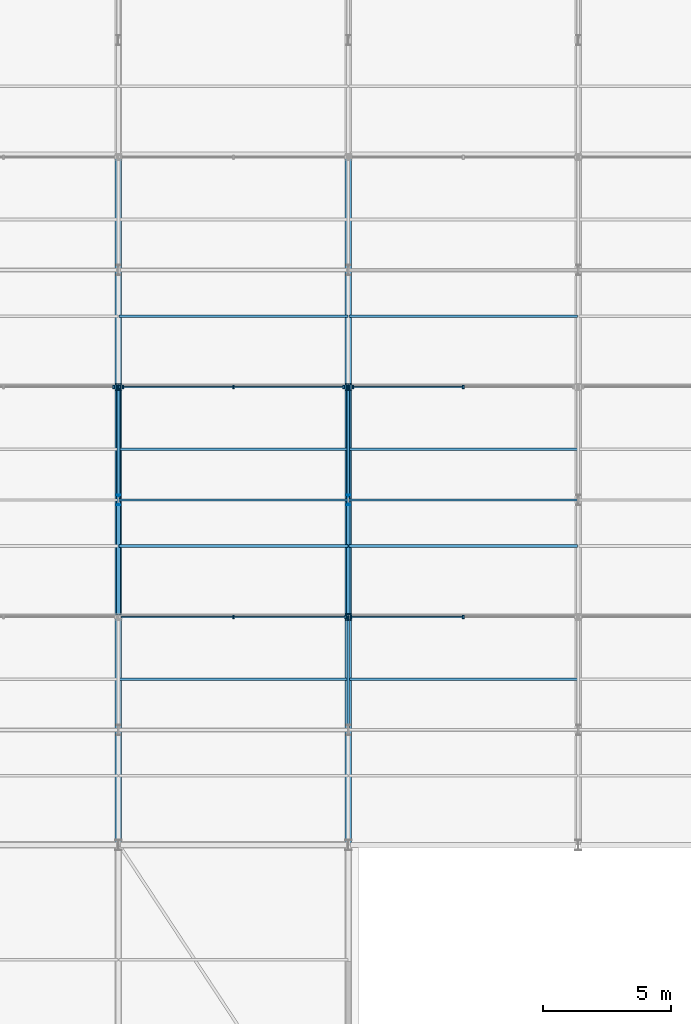
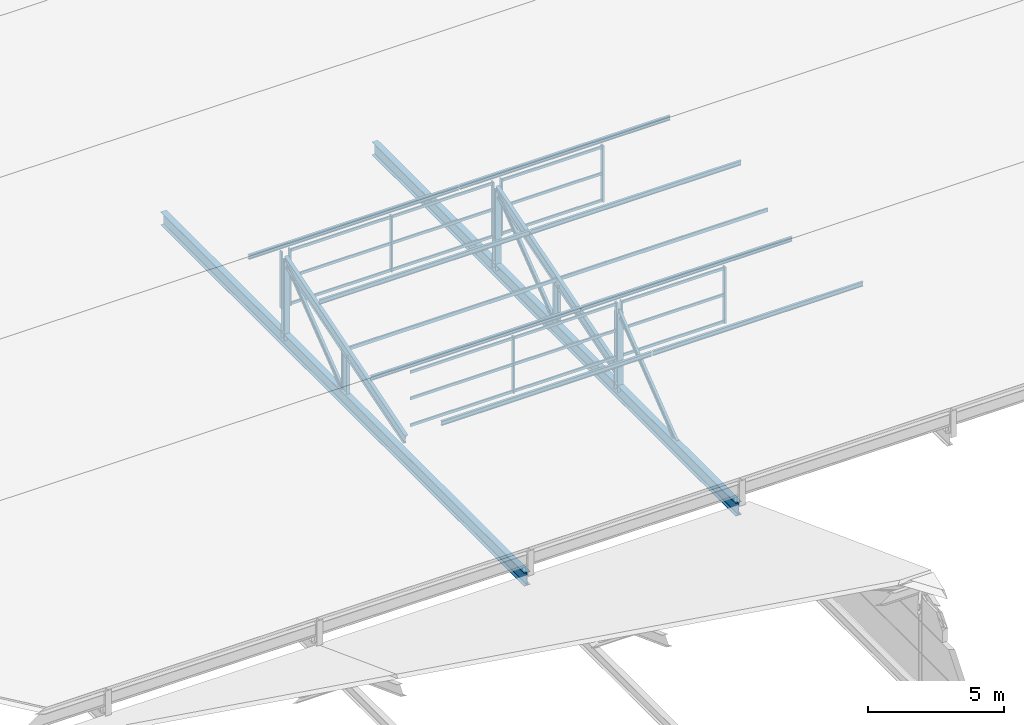
# One storey, part 64 of 163: 48 members, 2 beams, 5 elements without a shape of their own.
"""IFC4 building model written with IfcOpenShell, lengths in metres."""

from ifc_helpers import new_model, si_unit, direction, frame, origin, origin_2d, place, context, subcontext, project, spatial, rectangle, hollow_rectangle, i_section, extrude, material, material_profile, profile_set, type_object, element, aggregate, save


model = new_model("IFC4")

# Units and contexts
model_context = context("Model", 3, precision=1e-05, world=origin(), true_north=direction((0.0, 1.0)))
body_context = subcontext(model_context, "Body", "Model", "MODEL_VIEW")
ifc_project = project(units=[si_unit("LENGTHUNIT", "METRE"), si_unit("AREAUNIT", "SQUARE_METRE"), si_unit("VOLUMEUNIT", "CUBIC_METRE"), si_unit("PLANEANGLEUNIT", "RADIAN"), si_unit("MASSUNIT", "GRAM", prefix="KILO")], contexts=[model_context])

# Site, building, storey
site_placement = place(None, origin())
site = spatial("IfcSite", under=ifc_project, at=site_placement, CompositionType="ELEMENT")
building_placement = place(site_placement, origin())
building = spatial("IfcBuilding", under=site, at=building_placement, Name="Tharagai Park Tramway Depot", CompositionType="ELEMENT")
storey_placement = place(building_placement, frame((0.0, 0.0, 8.39990234375)))
storey = spatial("IfcBuildingStorey", under=building, at=storey_placement, Name="L02", CompositionType="ELEMENT", Elevation=8.39990234375)

# Beams
ifc_material_1 = material(Name="Steel E350", Category="steel")
ifc_material_profile_1 = material_profile(ifc_material_1, i_section(OverallWidth=0.25, OverallDepth=0.60009765625, WebThickness=0.01171875, FlangeThickness=0.023681640625, FilletRadius=0.01708984375, at=origin_2d()), Name="ISWB 600")
ifc_profile_set_1 = profile_set([ifc_material_profile_1], Name="Steel E350")
beam_type = type_object("IfcBeamType", Name="BM-01", PredefinedType="BEAM", material=ifc_profile_set_1)
for number, where, z_axis, x_axis, name in (
    (1, (81.0, 90.080078125, -0.25), (0.0, 1.0, 0.0), (-1.0, 0.0, 0.0), "Sawtooth Truss Bottom Tie Girder BM-01"),
    (2, (90.0, 90.080078125, -0.25), (0.0, 1.0, 0.0), (-1.0, 0.0, 0.0), "Sawtooth Truss Bottom Tie Girder BM-01"),
):
    element("IfcBeam", number, at=place(storey_placement, frame(where, z_axis=z_axis, x_axis=x_axis)), inside=storey, type_object=beam_type, Name=name, PredefinedType="BEAM", context=body_context, shape_type="SweptSolid", body=[
        extrude(i_section(OverallWidth=0.25, OverallDepth=0.60009765625, WebThickness=0.01171875, FlangeThickness=0.023681640625, FilletRadius=0.01708984375, at=origin_2d()), origin(), (0.0, 0.0, 1.0), 26.83984375),
    ])

# Members
ifc_material_profile_2 = material_profile(ifc_material_1, i_section(OverallWidth=0.25, OverallDepth=0.25, WebThickness=0.0087890625, FlangeThickness=0.009765625, FilletRadius=0.010009765625, at=origin_2d()), Name="ISHB 250")
ifc_profile_set_2 = profile_set([ifc_material_profile_2], Name="Steel E350")
member_type_1 = type_object("IfcMemberType", Name="BR-01", PredefinedType="BRACE", material=ifc_profile_set_2)
for number, where, z_axis, x_axis, name in (
    (3, (81.0, 107.919921875, -0.25), (0.0, 0.0, 1.0), (1.0, 0.0, 0.0), "Sawtooth North Vertical Post BR-01"),
    (4, (90.0, 98.919921875, -0.25), (0.0, 0.0, 1.0), (1.0, 0.0, 0.0), "Sawtooth North Vertical Post BR-01"),
    (5, (90.0, 107.919921875, -0.25), (0.0, 0.0, 1.0), (1.0, 0.0, 0.0), "Sawtooth North Vertical Post BR-01"),
):
    element("IfcMember", number, at=place(storey_placement, frame(where, z_axis=z_axis, x_axis=x_axis)), inside=storey, type_object=member_type_1, Name=name, PredefinedType="BRACE", context=body_context, shape_type="SweptSolid", body=[
        extrude(i_section(OverallWidth=0.25, OverallDepth=0.25, WebThickness=0.0087890625, FlangeThickness=0.009765625, FilletRadius=0.010009765625, at=origin_2d()), origin(), (0.0, 0.0, 1.0), 3.55517578125),
    ])
ifc_material_profile_3 = material_profile(ifc_material_1, i_section(OverallWidth=0.110107421875, OverallDepth=0.22509765625, WebThickness=0.006591796875, FlangeThickness=0.01171875, FilletRadius=0.011962890625, at=origin_2d()), Name="ISMB 225")
ifc_profile_set_3 = profile_set([ifc_material_profile_3], Name="Steel E350")
member_type_2 = type_object("IfcMemberType", Name="BR-04", PredefinedType="BRACE", material=ifc_profile_set_3)
for number, where, z_axis, x_axis, name in (
    (6, (81.0, 103.64990234375, 0.0), (0.0, 0.790781596, 0.612098413188), (-1.0, 0.0, 0.0), "Sawtooth Truss Web Diagonal BR-04"),
    (7, (90.0, 94.64990234375, 0.0), (0.0, 0.790781596, 0.612098413188), (-1.0, 0.0, 0.0), "Sawtooth Truss Web Diagonal BR-04"),
    (8, (90.0, 103.64990234375, 0.0), (0.0, 0.790781596, 0.612098413188), (-1.0, 0.0, 0.0), "Sawtooth Truss Web Diagonal BR-04"),
):
    element("IfcMember", number, at=place(storey_placement, frame(where, z_axis=z_axis, x_axis=x_axis)), inside=storey, type_object=member_type_2, Name=name, PredefinedType="BRACE", context=body_context, shape_type="SweptSolid", body=[
        extrude(i_section(OverallWidth=0.110107421875, OverallDepth=0.22509765625, WebThickness=0.006591796875, FlangeThickness=0.01171875, FilletRadius=0.011962890625, at=origin_2d()), origin(), (0.0, 0.0, 1.0), 5.399658203125),
    ])

# Curtain wall, members
ifc_material_2 = material(Name="Anodised aluminium", Category="aluminium")
curtain_wall_type_1 = type_object("IfcCurtainWallType", Name="CW-04", PredefinedType="NOTDEFINED", material=ifc_material_2)
curtain_wall_1_placement = place(storey_placement, origin())
curtain_wall_1 = element("IfcCurtainWall", 9, at=curtain_wall_1_placement, inside=storey, type_object=curtain_wall_type_1, Name="Sawtooth North-Light Clerestory CW-04", PredefinedType="NOTDEFINED")
ifc_material_profile_4 = material_profile(ifc_material_2, rectangle(XDim=0.06494140625, YDim=0.1201171875, at=origin_2d()), Name="ALU 65x120")
ifc_profile_set_4 = profile_set([ifc_material_profile_4], Name="Anodised aluminium")
member_type_3 = type_object("IfcMemberType", Name="CM-01", PredefinedType="USERDEFINED", material=ifc_profile_set_4)
member_1_placement = place(storey_placement, frame((81.114990234375, 98.919921875, 1.26513671875), z_axis=(1.0, 0.0, 0.0), x_axis=(0.0, 1.0, 0.0)))
member_1 = element("IfcMember", 10, at=member_1_placement, type_object=member_type_3, Name="Sawtooth North-Light Clerestory Transom 1.1", ObjectType="TRANSOM", PredefinedType="USERDEFINED", context=body_context, shape_type="SweptSolid", body=[
    extrude(rectangle(XDim=0.06494140625, YDim=0.1201171875, at=origin_2d()), origin(), (0.0, 0.0, 1.0), 4.3701171875),
])
member_2_placement = place(storey_placement, frame((81.114990234375, 98.919921875, 2.4736328125), z_axis=(1.0, 0.0, 0.0), x_axis=(0.0, 1.0, 0.0)))
member_2 = element("IfcMember", 11, at=member_2_placement, type_object=member_type_3, Name="Sawtooth North-Light Clerestory Transom 1.2", ObjectType="TRANSOM", PredefinedType="USERDEFINED", context=body_context, shape_type="SweptSolid", body=[
    extrude(rectangle(XDim=0.06494140625, YDim=0.1201171875, at=origin_2d()), origin(), (0.0, 0.0, 1.0), 4.3701171875),
])
member_3_placement = place(storey_placement, frame((81.114990234375, 98.919921875, 3.662353515625), z_axis=(1.0, 0.0, 0.0), x_axis=(0.0, 1.0, 0.0)))
member_3 = element("IfcMember", 12, at=member_3_placement, type_object=member_type_3, Name="Sawtooth North-Light Clerestory Transom 1.3", ObjectType="TRANSOM", PredefinedType="USERDEFINED", context=body_context, shape_type="SweptSolid", body=[
    extrude(rectangle(XDim=0.06494140625, YDim=0.1201171875, at=origin_2d()), origin(), (0.0, 0.0, 1.0), 4.3701171875),
])
member_4_placement = place(storey_placement, frame((85.514892578125, 98.919921875, 1.26513671875), z_axis=(1.0, 0.0, 0.0), x_axis=(0.0, 1.0, 0.0)))
member_4 = element("IfcMember", 13, at=member_4_placement, type_object=member_type_3, Name="Sawtooth North-Light Clerestory Transom 2.1", ObjectType="TRANSOM", PredefinedType="USERDEFINED", context=body_context, shape_type="SweptSolid", body=[
    extrude(rectangle(XDim=0.06494140625, YDim=0.1201171875, at=origin_2d()), origin(), (0.0, 0.0, 1.0), 4.3701171875),
])
member_5_placement = place(storey_placement, frame((85.514892578125, 98.919921875, 2.4736328125), z_axis=(1.0, 0.0, 0.0), x_axis=(0.0, 1.0, 0.0)))
member_5 = element("IfcMember", 14, at=member_5_placement, type_object=member_type_3, Name="Sawtooth North-Light Clerestory Transom 2.2", ObjectType="TRANSOM", PredefinedType="USERDEFINED", context=body_context, shape_type="SweptSolid", body=[
    extrude(rectangle(XDim=0.06494140625, YDim=0.1201171875, at=origin_2d()), origin(), (0.0, 0.0, 1.0), 4.3701171875),
])
member_6_placement = place(storey_placement, frame((85.514892578125, 98.919921875, 3.662353515625), z_axis=(1.0, 0.0, 0.0), x_axis=(0.0, 1.0, 0.0)))
member_6 = element("IfcMember", 15, at=member_6_placement, type_object=member_type_3, Name="Sawtooth North-Light Clerestory Transom 2.3", ObjectType="TRANSOM", PredefinedType="USERDEFINED", context=body_context, shape_type="SweptSolid", body=[
    extrude(rectangle(XDim=0.06494140625, YDim=0.1201171875, at=origin_2d()), origin(), (0.0, 0.0, 1.0), 4.3701171875),
])

curtain_wall_2_placement = place(storey_placement, origin())
curtain_wall_2 = element("IfcCurtainWall", 16, at=curtain_wall_2_placement, inside=storey, type_object=curtain_wall_type_1, Name="Sawtooth North-Light Clerestory CW-04", PredefinedType="NOTDEFINED")
member_7_placement = place(storey_placement, frame((90.114990234375, 98.919921875, 1.26513671875), z_axis=(1.0, 0.0, 0.0), x_axis=(0.0, 1.0, 0.0)))
member_7 = element("IfcMember", 17, at=member_7_placement, type_object=member_type_3, Name="Sawtooth North-Light Clerestory Transom 1.1", ObjectType="TRANSOM", PredefinedType="USERDEFINED", context=body_context, shape_type="SweptSolid", body=[
    extrude(rectangle(XDim=0.06494140625, YDim=0.1201171875, at=origin_2d()), origin(), (0.0, 0.0, 1.0), 4.3701171875),
])
member_8_placement = place(storey_placement, frame((90.114990234375, 98.919921875, 2.4736328125), z_axis=(1.0, 0.0, 0.0), x_axis=(0.0, 1.0, 0.0)))
member_8 = element("IfcMember", 18, at=member_8_placement, type_object=member_type_3, Name="Sawtooth North-Light Clerestory Transom 1.2", ObjectType="TRANSOM", PredefinedType="USERDEFINED", context=body_context, shape_type="SweptSolid", body=[
    extrude(rectangle(XDim=0.06494140625, YDim=0.1201171875, at=origin_2d()), origin(), (0.0, 0.0, 1.0), 4.3701171875),
])
member_9_placement = place(storey_placement, frame((90.114990234375, 98.919921875, 3.662353515625), z_axis=(1.0, 0.0, 0.0), x_axis=(0.0, 1.0, 0.0)))
member_9 = element("IfcMember", 19, at=member_9_placement, type_object=member_type_3, Name="Sawtooth North-Light Clerestory Transom 1.3", ObjectType="TRANSOM", PredefinedType="USERDEFINED", context=body_context, shape_type="SweptSolid", body=[
    extrude(rectangle(XDim=0.06494140625, YDim=0.1201171875, at=origin_2d()), origin(), (0.0, 0.0, 1.0), 4.3701171875),
])

curtain_wall_type_2 = type_object("IfcCurtainWallType", Name="CW-03", PredefinedType="NOTDEFINED", material=ifc_material_2)
curtain_wall_3_placement = place(storey_placement, origin())
curtain_wall_3 = element("IfcCurtainWall", 20, at=curtain_wall_3_placement, inside=storey, type_object=curtain_wall_type_2, Name="Sawtooth North-Light Clerestory CW-03", PredefinedType="NOTDEFINED")
member_10_placement = place(storey_placement, frame((81.195068359375, 107.919921875, 1.26513671875), z_axis=(1.0, 0.0, 0.0), x_axis=(0.0, 1.0, 0.0)))
member_10 = element("IfcMember", 21, at=member_10_placement, type_object=member_type_3, Name="Sawtooth North-Light Clerestory Transom 1.1", ObjectType="TRANSOM", PredefinedType="USERDEFINED", context=body_context, shape_type="SweptSolid", body=[
    extrude(rectangle(XDim=0.06494140625, YDim=0.1201171875, at=origin_2d()), origin(), (0.0, 0.0, 1.0), 4.2900390625),
])
member_11_placement = place(storey_placement, frame((81.195068359375, 107.919921875, 2.4736328125), z_axis=(1.0, 0.0, 0.0), x_axis=(0.0, 1.0, 0.0)))
member_11 = element("IfcMember", 22, at=member_11_placement, type_object=member_type_3, Name="Sawtooth North-Light Clerestory Transom 1.2", ObjectType="TRANSOM", PredefinedType="USERDEFINED", context=body_context, shape_type="SweptSolid", body=[
    extrude(rectangle(XDim=0.06494140625, YDim=0.1201171875, at=origin_2d()), origin(), (0.0, 0.0, 1.0), 4.2900390625),
])
member_12_placement = place(storey_placement, frame((81.195068359375, 107.919921875, 3.662353515625), z_axis=(1.0, 0.0, 0.0), x_axis=(0.0, 1.0, 0.0)))
member_12 = element("IfcMember", 23, at=member_12_placement, type_object=member_type_3, Name="Sawtooth North-Light Clerestory Transom 1.3", ObjectType="TRANSOM", PredefinedType="USERDEFINED", context=body_context, shape_type="SweptSolid", body=[
    extrude(rectangle(XDim=0.06494140625, YDim=0.1201171875, at=origin_2d()), origin(), (0.0, 0.0, 1.0), 4.2900390625),
])
member_13_placement = place(storey_placement, frame((85.514892578125, 107.919921875, 1.26513671875), z_axis=(1.0, 0.0, 0.0), x_axis=(0.0, 1.0, 0.0)))
member_13 = element("IfcMember", 24, at=member_13_placement, type_object=member_type_3, Name="Sawtooth North-Light Clerestory Transom 2.1", ObjectType="TRANSOM", PredefinedType="USERDEFINED", context=body_context, shape_type="SweptSolid", body=[
    extrude(rectangle(XDim=0.06494140625, YDim=0.1201171875, at=origin_2d()), origin(), (0.0, 0.0, 1.0), 4.2900390625),
])
member_14_placement = place(storey_placement, frame((85.514892578125, 107.919921875, 2.4736328125), z_axis=(1.0, 0.0, 0.0), x_axis=(0.0, 1.0, 0.0)))
member_14 = element("IfcMember", 25, at=member_14_placement, type_object=member_type_3, Name="Sawtooth North-Light Clerestory Transom 2.2", ObjectType="TRANSOM", PredefinedType="USERDEFINED", context=body_context, shape_type="SweptSolid", body=[
    extrude(rectangle(XDim=0.06494140625, YDim=0.1201171875, at=origin_2d()), origin(), (0.0, 0.0, 1.0), 4.2900390625),
])
member_15_placement = place(storey_placement, frame((85.514892578125, 107.919921875, 3.662353515625), z_axis=(1.0, 0.0, 0.0), x_axis=(0.0, 1.0, 0.0)))
member_15 = element("IfcMember", 26, at=member_15_placement, type_object=member_type_3, Name="Sawtooth North-Light Clerestory Transom 2.3", ObjectType="TRANSOM", PredefinedType="USERDEFINED", context=body_context, shape_type="SweptSolid", body=[
    extrude(rectangle(XDim=0.06494140625, YDim=0.1201171875, at=origin_2d()), origin(), (0.0, 0.0, 1.0), 4.2900390625),
])

curtain_wall_4_placement = place(storey_placement, origin())
curtain_wall_4 = element("IfcCurtainWall", 27, at=curtain_wall_4_placement, inside=storey, type_object=curtain_wall_type_2, Name="Sawtooth North-Light Clerestory CW-03", PredefinedType="NOTDEFINED")
member_16_placement = place(storey_placement, frame((90.195068359375, 107.919921875, 1.26513671875), z_axis=(1.0, 0.0, 0.0), x_axis=(0.0, 1.0, 0.0)))
member_16 = element("IfcMember", 28, at=member_16_placement, type_object=member_type_3, Name="Sawtooth North-Light Clerestory Transom 1.1", ObjectType="TRANSOM", PredefinedType="USERDEFINED", context=body_context, shape_type="SweptSolid", body=[
    extrude(rectangle(XDim=0.06494140625, YDim=0.1201171875, at=origin_2d()), origin(), (0.0, 0.0, 1.0), 4.2900390625),
])
member_17_placement = place(storey_placement, frame((90.195068359375, 107.919921875, 2.4736328125), z_axis=(1.0, 0.0, 0.0), x_axis=(0.0, 1.0, 0.0)))
member_17 = element("IfcMember", 29, at=member_17_placement, type_object=member_type_3, Name="Sawtooth North-Light Clerestory Transom 1.2", ObjectType="TRANSOM", PredefinedType="USERDEFINED", context=body_context, shape_type="SweptSolid", body=[
    extrude(rectangle(XDim=0.06494140625, YDim=0.1201171875, at=origin_2d()), origin(), (0.0, 0.0, 1.0), 4.2900390625),
])
member_18_placement = place(storey_placement, frame((90.195068359375, 107.919921875, 3.662353515625), z_axis=(1.0, 0.0, 0.0), x_axis=(0.0, 1.0, 0.0)))
member_18 = element("IfcMember", 30, at=member_18_placement, type_object=member_type_3, Name="Sawtooth North-Light Clerestory Transom 1.3", ObjectType="TRANSOM", PredefinedType="USERDEFINED", context=body_context, shape_type="SweptSolid", body=[
    extrude(rectangle(XDim=0.06494140625, YDim=0.1201171875, at=origin_2d()), origin(), (0.0, 0.0, 1.0), 4.2900390625),
])

# Member
ifc_material_profile_5 = material_profile(ifc_material_2, rectangle(XDim=0.06494140625, YDim=0.14990234375, at=origin_2d()), Name="ALU 65x150")
ifc_profile_set_5 = profile_set([ifc_material_profile_5], Name="Anodised aluminium")
member_type_4 = type_object("IfcMemberType", Name="CM-03", PredefinedType="MULLION", material=ifc_profile_set_5)
member_19_placement = place(storey_placement, frame((85.5, 98.919921875, 1.2001953125), z_axis=(0.0, 0.0, 1.0), x_axis=(1.0, 0.0, 0.0)))
member_19 = element("IfcMember", 31, at=member_19_placement, type_object=member_type_4, Name="Sawtooth North-Light Clerestory Mullion 2", PredefinedType="MULLION", context=body_context, shape_type="SweptSolid", body=[
    extrude(rectangle(XDim=0.06494140625, YDim=0.14990234375, at=origin_2d()), origin(), (0.0, 0.0, 1.0), 2.547119140625),
])

member_20_placement = place(storey_placement, frame((89.89990234375, 98.919921875, 1.2001953125), z_axis=(0.0, 0.0, 1.0), x_axis=(1.0, 0.0, 0.0)))
member_20 = element("IfcMember", 32, at=member_20_placement, type_object=member_type_4, Name="Sawtooth North-Light Clerestory Mullion 3", PredefinedType="MULLION", context=body_context, shape_type="SweptSolid", body=[
    extrude(rectangle(XDim=0.06494140625, YDim=0.14990234375, at=origin_2d()), origin(), (0.0, 0.0, 1.0), 2.547119140625),
])

aggregate(curtain_wall_1, [member_19, member_20, member_1, member_2, member_3, member_4, member_5, member_6])

member_21_placement = place(storey_placement, frame((90.10009765625, 98.919921875, 1.2001953125), z_axis=(0.0, 0.0, 1.0), x_axis=(1.0, 0.0, 0.0)))
member_21 = element("IfcMember", 33, at=member_21_placement, type_object=member_type_4, Name="Sawtooth North-Light Clerestory Mullion 1", PredefinedType="MULLION", context=body_context, shape_type="SweptSolid", body=[
    extrude(rectangle(XDim=0.06494140625, YDim=0.14990234375, at=origin_2d()), origin(), (0.0, 0.0, 1.0), 2.547119140625),
])

member_22_placement = place(storey_placement, frame((94.5, 98.919921875, 1.2001953125), z_axis=(0.0, 0.0, 1.0), x_axis=(1.0, 0.0, 0.0)))
member_22 = element("IfcMember", 34, at=member_22_placement, type_object=member_type_4, Name="Sawtooth North-Light Clerestory Mullion 2", PredefinedType="MULLION", context=body_context, shape_type="SweptSolid", body=[
    extrude(rectangle(XDim=0.06494140625, YDim=0.14990234375, at=origin_2d()), origin(), (0.0, 0.0, 1.0), 2.547119140625),
])

aggregate(curtain_wall_2, [member_21, member_22, member_7, member_8, member_9])

# Curtain wall, member
curtain_wall_5_placement = place(storey_placement, origin())
curtain_wall_5 = element("IfcCurtainWall", 35, at=curtain_wall_5_placement, inside=storey, type_object=curtain_wall_type_2, Name="Sawtooth North-Light Clerestory CW-03", PredefinedType="NOTDEFINED")
member_23_placement = place(storey_placement, frame((80.820068359375, 107.919921875, 1.2001953125), z_axis=(0.0, 0.0, 1.0), x_axis=(1.0, 0.0, 0.0)))
member_23 = element("IfcMember", 36, at=member_23_placement, type_object=member_type_4, Name="Sawtooth North-Light Clerestory Mullion 3", PredefinedType="MULLION", context=body_context, shape_type="SweptSolid", body=[
    extrude(rectangle(XDim=0.06494140625, YDim=0.14990234375, at=origin_2d()), origin(), (0.0, 0.0, 1.0), 2.547119140625),
])
aggregate(curtain_wall_5, [member_23])

# Member
member_24_placement = place(storey_placement, frame((81.179931640625, 107.919921875, 1.2001953125), z_axis=(0.0, 0.0, 1.0), x_axis=(1.0, 0.0, 0.0)))
member_24 = element("IfcMember", 37, at=member_24_placement, type_object=member_type_4, Name="Sawtooth North-Light Clerestory Mullion 1", PredefinedType="MULLION", context=body_context, shape_type="SweptSolid", body=[
    extrude(rectangle(XDim=0.06494140625, YDim=0.14990234375, at=origin_2d()), origin(), (0.0, 0.0, 1.0), 2.547119140625),
])

member_25_placement = place(storey_placement, frame((85.5, 107.919921875, 1.2001953125), z_axis=(0.0, 0.0, 1.0), x_axis=(1.0, 0.0, 0.0)))
member_25 = element("IfcMember", 38, at=member_25_placement, type_object=member_type_4, Name="Sawtooth North-Light Clerestory Mullion 2", PredefinedType="MULLION", context=body_context, shape_type="SweptSolid", body=[
    extrude(rectangle(XDim=0.06494140625, YDim=0.14990234375, at=origin_2d()), origin(), (0.0, 0.0, 1.0), 2.547119140625),
])

member_26_placement = place(storey_placement, frame((89.820068359375, 107.919921875, 1.2001953125), z_axis=(0.0, 0.0, 1.0), x_axis=(1.0, 0.0, 0.0)))
member_26 = element("IfcMember", 39, at=member_26_placement, type_object=member_type_4, Name="Sawtooth North-Light Clerestory Mullion 3", PredefinedType="MULLION", context=body_context, shape_type="SweptSolid", body=[
    extrude(rectangle(XDim=0.06494140625, YDim=0.14990234375, at=origin_2d()), origin(), (0.0, 0.0, 1.0), 2.547119140625),
])

aggregate(curtain_wall_3, [member_24, member_25, member_26, member_10, member_11, member_12, member_13, member_14, member_15])

member_27_placement = place(storey_placement, frame((90.179931640625, 107.919921875, 1.2001953125), z_axis=(0.0, 0.0, 1.0), x_axis=(1.0, 0.0, 0.0)))
member_27 = element("IfcMember", 40, at=member_27_placement, type_object=member_type_4, Name="Sawtooth North-Light Clerestory Mullion 1", PredefinedType="MULLION", context=body_context, shape_type="SweptSolid", body=[
    extrude(rectangle(XDim=0.06494140625, YDim=0.14990234375, at=origin_2d()), origin(), (0.0, 0.0, 1.0), 2.547119140625),
])

member_28_placement = place(storey_placement, frame((94.5, 107.919921875, 1.2001953125), z_axis=(0.0, 0.0, 1.0), x_axis=(1.0, 0.0, 0.0)))
member_28 = element("IfcMember", 41, at=member_28_placement, type_object=member_type_4, Name="Sawtooth North-Light Clerestory Mullion 2", PredefinedType="MULLION", context=body_context, shape_type="SweptSolid", body=[
    extrude(rectangle(XDim=0.06494140625, YDim=0.14990234375, at=origin_2d()), origin(), (0.0, 0.0, 1.0), 2.547119140625),
])

aggregate(curtain_wall_4, [member_27, member_28, member_16, member_17, member_18])

# Members
ifc_material_3 = material(Name="Steel E250", Category="steel")
ifc_material_profile_6 = material_profile(ifc_material_3, hollow_rectangle(XDim=0.080078125, YDim=0.159912109375, WallThickness=0.0048828125, InnerFilletRadius=0.0048828125, OuterFilletRadius=0.010009765625, at=origin_2d()), Name="RHS 160x80x5")
ifc_profile_set_6 = profile_set([ifc_material_profile_6], Name="Steel E250")
member_type_5 = type_object("IfcMemberType", Name="PR-02", PredefinedType="PURLIN", material=ifc_profile_set_6)
for number, where, z_axis, x_axis, name in (
    (42, (81.02001953125, 103.5, 1.946533203125), (1.0, 0.0, 0.0), (0.0, 1.0, 0.0), "Sawtooth Tubular Tie Strut PR-02"),
    (43, (90.02001953125, 103.5, 1.946533203125), (1.0, 0.0, 0.0), (0.0, 1.0, 0.0), "Sawtooth Tubular Tie Strut PR-02"),
):
    element("IfcMember", number, at=place(storey_placement, frame(where, z_axis=z_axis, x_axis=x_axis)), inside=storey, type_object=member_type_5, Name=name, PredefinedType="PURLIN", context=body_context, shape_type="SweptSolid", body=[
        extrude(hollow_rectangle(XDim=0.080078125, YDim=0.159912109375, WallThickness=0.0048828125, InnerFilletRadius=0.0048828125, OuterFilletRadius=0.010009765625, at=origin_2d()), origin(), (0.0, 0.0, 1.0), 8.9599609375),
    ])
ifc_material_profile_7 = material_profile(ifc_material_3, i_section(OverallWidth=0.10009765625, OverallDepth=0.199951171875, WebThickness=0.00537109375, FlangeThickness=0.00732421875, FilletRadius=0.009033203125, at=origin_2d()), Name="ISLB 200")
ifc_profile_set_7 = profile_set([ifc_material_profile_7], Name="Steel E250")
member_type_6 = type_object("IfcMemberType", Name="PR-03", PredefinedType="PURLIN", material=ifc_profile_set_7)
for number, where, z_axis, x_axis, name in (
    (44, (81.02001953125, 101.699951171875, 1.733154296875), (1.0, 0.0, 0.0), (0.0, 1.0, 0.0), "Sawtooth Roof Purlin PR-03"),
    (45, (81.02001953125, 105.47998046875, 2.87451171875), (1.0, 0.0, 0.0), (0.0, 1.0, 0.0), "Sawtooth Roof Purlin PR-03"),
    (46, (90.02001953125, 101.699951171875, 1.733154296875), (1.0, 0.0, 0.0), (0.0, 1.0, 0.0), "Sawtooth Roof Purlin PR-03"),
    (47, (90.02001953125, 105.47998046875, 2.87451171875), (1.0, 0.0, 0.0), (0.0, 1.0, 0.0), "Sawtooth Roof Purlin PR-03"),
):
    element("IfcMember", number, at=place(storey_placement, frame(where, z_axis=z_axis, x_axis=x_axis)), inside=storey, type_object=member_type_6, Name=name, PredefinedType="PURLIN", context=body_context, shape_type="SweptSolid", body=[
        extrude(i_section(OverallWidth=0.10009765625, OverallDepth=0.199951171875, WebThickness=0.00537109375, FlangeThickness=0.00732421875, FilletRadius=0.009033203125, at=origin_2d()), origin(), (0.0, 0.0, 1.0), 8.9599609375),
    ])
ifc_material_profile_8 = material_profile(ifc_material_3, i_section(OverallWidth=0.10009765625, OverallDepth=0.199951171875, WebThickness=0.005615234375, FlangeThickness=0.0107421875, FilletRadius=0.010986328125, at=origin_2d()), Name="ISMB 200")
ifc_profile_set_8 = profile_set([ifc_material_profile_8], Name="Steel E250")
member_type_7 = type_object("IfcMemberType", Name="PR-04", PredefinedType="PURLIN", material=ifc_profile_set_8)
for number, where, z_axis, x_axis, name in (
    (48, (81.02001953125, 96.47998046875, 2.87451171875), (1.0, 0.0, 0.0), (0.0, 1.0, 0.0), "Sawtooth Roof Purlin PR-04"),
    (49, (81.02001953125, 110.699951171875, 1.733154296875), (1.0, 0.0, 0.0), (0.0, 1.0, 0.0), "Sawtooth Roof Purlin PR-04"),
    (50, (90.02001953125, 96.47998046875, 2.87451171875), (1.0, 0.0, 0.0), (0.0, 1.0, 0.0), "Sawtooth Roof Purlin PR-04"),
    (51, (90.02001953125, 110.699951171875, 1.733154296875), (1.0, 0.0, 0.0), (0.0, 1.0, 0.0), "Sawtooth Roof Purlin PR-04"),
):
    element("IfcMember", number, at=place(storey_placement, frame(where, z_axis=z_axis, x_axis=x_axis)), inside=storey, type_object=member_type_7, Name=name, PredefinedType="PURLIN", context=body_context, shape_type="SweptSolid", body=[
        extrude(i_section(OverallWidth=0.10009765625, OverallDepth=0.199951171875, WebThickness=0.005615234375, FlangeThickness=0.0107421875, FilletRadius=0.010986328125, at=origin_2d()), origin(), (0.0, 0.0, 1.0), 8.9599609375),
    ])
ifc_material_profile_9 = material_profile(ifc_material_1, i_section(OverallWidth=0.14990234375, OverallDepth=0.449951171875, WebThickness=0.009521484375, FlangeThickness=0.017333984375, FilletRadius=0.014892578125, at=origin_2d()), Name="ISMB 450")
ifc_profile_set_9 = profile_set([ifc_material_profile_9], Name="Steel E350")
member_type_8 = type_object("IfcMemberType", Name="TC-05", PredefinedType="CHORD", material=ifc_profile_set_9)
for number, where, z_axis, x_axis, name in (
    (52, (81.0, 99.06005859375, 0.587890625), (0.0, 0.956231486327, 0.29261125159), (-1.0, 0.0, 0.0), "Sawtooth Top Chord TC-05"),
    (53, (90.0, 99.06005859375, 0.587890625), (0.0, 0.956231486327, 0.29261125159), (-1.0, 0.0, 0.0), "Sawtooth Top Chord TC-05"),
):
    element("IfcMember", number, at=place(storey_placement, frame(where, z_axis=z_axis, x_axis=x_axis)), inside=storey, type_object=member_type_8, Name=name, PredefinedType="CHORD", context=body_context, shape_type="SweptSolid", body=[
        extrude(i_section(OverallWidth=0.14990234375, OverallDepth=0.449951171875, WebThickness=0.009521484375, FlangeThickness=0.017333984375, FilletRadius=0.014892578125, at=origin_2d()), origin(), (0.0, 0.0, 1.0), 9.286376953125),
    ])
ifc_material_profile_10 = material_profile(ifc_material_1, i_section(OverallWidth=0.139892578125, OverallDepth=0.39990234375, WebThickness=0.0087890625, FlangeThickness=0.01611328125, FilletRadius=0.013916015625, at=origin_2d()), Name="ISMB 400")
ifc_profile_set_10 = profile_set([ifc_material_profile_10], Name="Steel E350")
member_type_9 = type_object("IfcMemberType", Name="TC-06", PredefinedType="CHORD", material=ifc_profile_set_10)
for number, where, z_axis, x_axis, name in (
    (54, (81.0, 103.5, -0.0498046875), (0.0, 0.0, 1.0), (1.0, 0.0, 0.0), "Sawtooth Mid-Tooth Strut TC-06"),
    (55, (90.0, 103.5, -0.0498046875), (0.0, 0.0, 1.0), (1.0, 0.0, 0.0), "Sawtooth Mid-Tooth Strut TC-06"),
):
    element("IfcMember", number, at=place(storey_placement, frame(where, z_axis=z_axis, x_axis=x_axis)), inside=storey, type_object=member_type_9, Name=name, PredefinedType="CHORD", context=body_context, shape_type="SweptSolid", body=[
        extrude(i_section(OverallWidth=0.139892578125, OverallDepth=0.39990234375, WebThickness=0.0087890625, FlangeThickness=0.01611328125, FilletRadius=0.013916015625, at=origin_2d()), origin(), (0.0, 0.0, 1.0), 1.846435546875),
    ])

save(model, "model.ifc")
